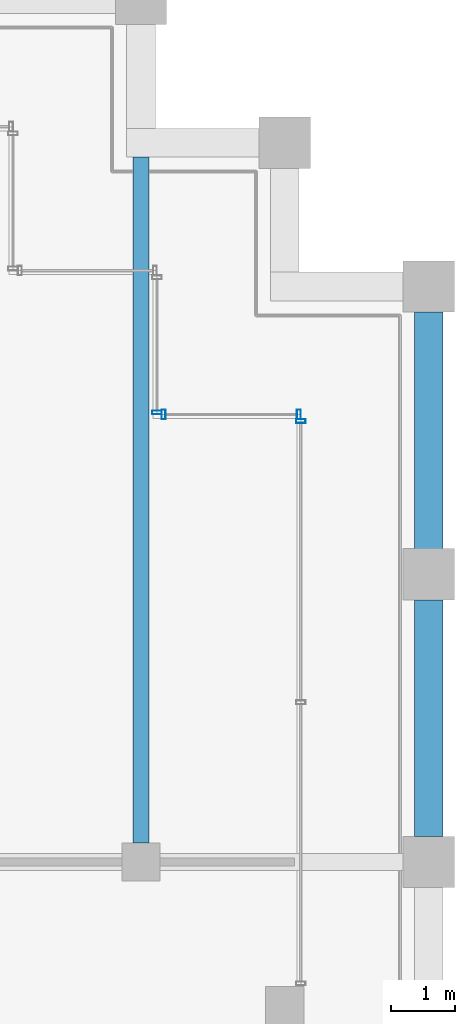
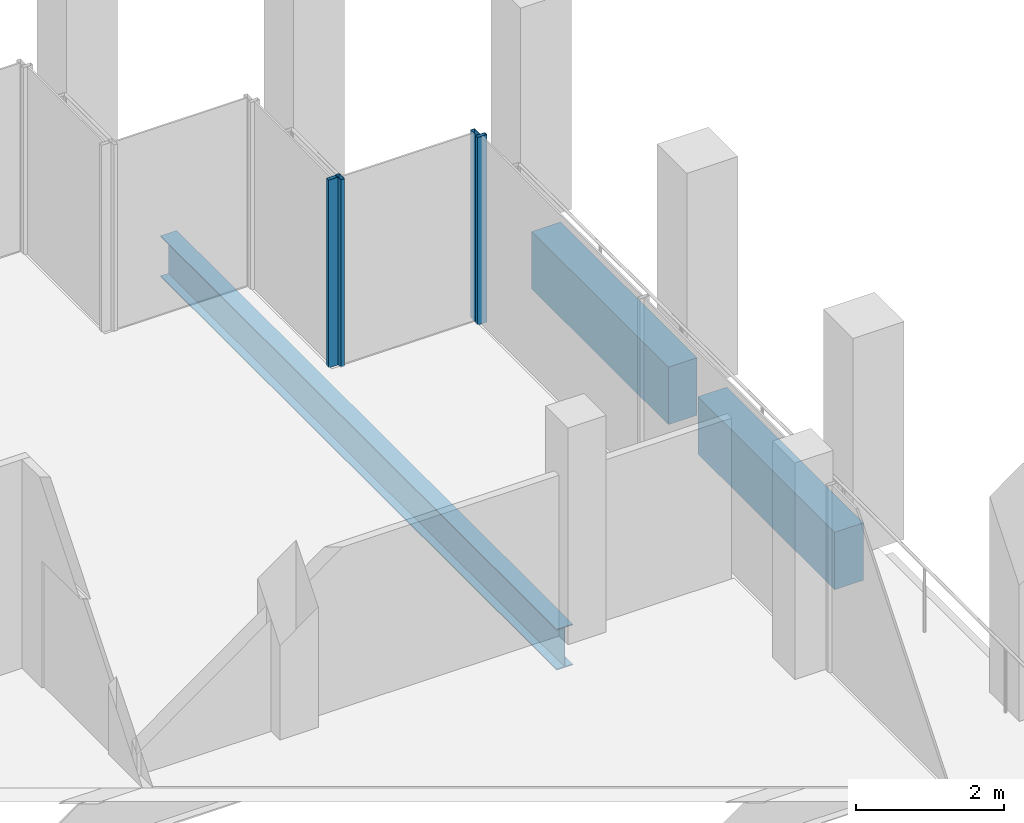
# One storey, part 25 of 30: 4 members, 3 beams, 3 elements without a shape of their own.
"""IFC4 building model written with IfcOpenShell, lengths in metres."""

from ifc_helpers import new_model, si_unit, direction, frame, origin, origin_2d, place, context, subcontext, project, spatial, rectangle, hollow_rectangle, i_section, extrude, material, material_profile, profile_set, type_object, element, aggregate, save


model = new_model("IFC4")

# Units and contexts
model_context = context("Model", 3, precision=1e-05, world=origin(), true_north=direction((0.0, 1.0)))
body_context = subcontext(model_context, "Body", "Model", "MODEL_VIEW")
ifc_project = project(units=[si_unit("LENGTHUNIT", "METRE"), si_unit("AREAUNIT", "SQUARE_METRE"), si_unit("VOLUMEUNIT", "CUBIC_METRE"), si_unit("PLANEANGLEUNIT", "RADIAN"), si_unit("MASSUNIT", "GRAM", prefix="KILO")], contexts=[model_context])

# Site, building, storey
site_placement = place(None, origin())
site = spatial("IfcSite", under=ifc_project, at=site_placement, CompositionType="ELEMENT")
building_placement = place(site_placement, origin())
building = spatial("IfcBuilding", under=site, at=building_placement, Name="Altepetl Exchange Towers", CompositionType="ELEMENT")
storey_placement = place(building_placement, frame((0.0, 0.0, 231.60009765625)))
storey = spatial("IfcBuildingStorey", under=building, at=storey_placement, Name="L59", CompositionType="ELEMENT", Elevation=231.60009765625)

# Beam
ifc_material_1 = material(Name="Steel S355", Category="steel")
ifc_material_profile_1 = material_profile(ifc_material_1, i_section(OverallWidth=0.2529296875, OverallDepth=0.677978515625, WebThickness=0.01171875, FlangeThickness=0.016357421875, at=origin_2d()), Name="W27X84")
ifc_profile_set_1 = profile_set([ifc_material_profile_1], Name="Steel S355")
beam_type_1 = type_object("IfcBeamType", Name="Floor beam W27X84", PredefinedType="BEAM", material=ifc_profile_set_1)
beam_placement = place(storey_placement, frame((67.5, 58.800048828125, -0.489013671875), z_axis=(0.0, 1.0, 0.0), x_axis=(-1.0, 0.0, 0.0)))
element("IfcBeam", 1, at=beam_placement, inside=storey, type_object=beam_type_1, Name="bm:A:L59:005", PredefinedType="BEAM", context=body_context, shape_type="SweptSolid", body=[
    extrude(i_section(OverallWidth=0.2529296875, OverallDepth=0.677978515625, WebThickness=0.01171875, FlangeThickness=0.016357421875, at=origin_2d()), origin(), (0.0, 0.0, 1.0), 10.724853515625),
])

# Curtain wall, member
ifc_material_2 = material(Name="Aluminium 6063-T6 glazing", Category="aluminium")
curtain_wall_type = type_object("IfcCurtainWallType", Name="Loggia glazing system", PredefinedType="NOTDEFINED", material=ifc_material_2)
curtain_wall_1_placement = place(storey_placement, origin())
curtain_wall_1 = element("IfcCurtainWall", 2, at=curtain_wall_1_placement, inside=storey, type_object=curtain_wall_type, Name="CW1 run", PredefinedType="NOTDEFINED")
ifc_material_3 = material(Name="Aluminium 6063-T6", Category="aluminium")
ifc_material_profile_2 = material_profile(ifc_material_3, hollow_rectangle(XDim=0.06005859375, YDim=0.14990234375, WallThickness=0.0029296875, at=origin_2d()), Name="Mullion 60x150 aluminium")
ifc_profile_set_2 = profile_set([ifc_material_profile_2], Name="Aluminium 6063-T6")
member_type = type_object("IfcMemberType", Name="Mullion 60x150 aluminium", PredefinedType="MULLION", material=ifc_profile_set_2)
member_1_placement = place(storey_placement, frame((70.0, 65.39501953125, 0.0), z_axis=(0.0, 0.0, 1.0), x_axis=(0.0, 1.0, 0.0)))
member_1 = element("IfcMember", 3, at=member_1_placement, type_object=member_type, Name="MU1 mullion", PredefinedType="MULLION", context=body_context, shape_type="SweptSolid", body=[
    extrude(hollow_rectangle(XDim=0.06005859375, YDim=0.14990234375, WallThickness=0.0029296875, at=origin_2d()), origin(), (0.0, 0.0, 1.0), 3.099853515625),
])
aggregate(curtain_wall_1, [member_1])

# Curtain wall, members
curtain_wall_2_placement = place(storey_placement, origin())
curtain_wall_2 = element("IfcCurtainWall", 4, at=curtain_wall_2_placement, inside=storey, type_object=curtain_wall_type, Name="CW1 run", PredefinedType="NOTDEFINED")
member_2_placement = place(storey_placement, frame((69.969970703125, 65.5, 0.0), z_axis=(0.0, 0.0, 1.0), x_axis=(-1.0, 0.0, 0.0)))
member_2 = element("IfcMember", 5, at=member_2_placement, type_object=member_type, Name="MU1 mullion", PredefinedType="MULLION", context=body_context, shape_type="SweptSolid", body=[
    extrude(hollow_rectangle(XDim=0.06005859375, YDim=0.14990234375, WallThickness=0.0029296875, at=origin_2d()), origin(), (0.0, 0.0, 1.0), 3.099853515625),
])
member_3_placement = place(storey_placement, frame((67.85498046875, 65.5, 0.0), z_axis=(0.0, 0.0, 1.0), x_axis=(-1.0, 0.0, 0.0)))
member_3 = element("IfcMember", 6, at=member_3_placement, type_object=member_type, Name="MU1 mullion", PredefinedType="MULLION", context=body_context, shape_type="SweptSolid", body=[
    extrude(hollow_rectangle(XDim=0.06005859375, YDim=0.14990234375, WallThickness=0.0029296875, at=origin_2d()), origin(), (0.0, 0.0, 1.0), 3.099853515625),
])
aggregate(curtain_wall_2, [member_2, member_3])

# Curtain wall, member
curtain_wall_3_placement = place(storey_placement, origin())
curtain_wall_3 = element("IfcCurtainWall", 7, at=curtain_wall_3_placement, inside=storey, type_object=curtain_wall_type, Name="CW1 run", PredefinedType="NOTDEFINED")
member_4_placement = place(storey_placement, frame((67.75, 65.530029296875, 0.0), z_axis=(0.0, 0.0, 1.0), x_axis=(0.0, 1.0, 0.0)))
member_4 = element("IfcMember", 8, at=member_4_placement, type_object=member_type, Name="MU1 mullion", PredefinedType="MULLION", context=body_context, shape_type="SweptSolid", body=[
    extrude(hollow_rectangle(XDim=0.06005859375, YDim=0.14990234375, WallThickness=0.0029296875, at=origin_2d()), origin(), (0.0, 0.0, 1.0), 3.099853515625),
])
aggregate(curtain_wall_3, [member_4])

# Beams
ifc_material_4 = material(Name="Concrete C50/60 precast with cantera rosa facing", Category="concrete")
ifc_material_profile_3 = material_profile(ifc_material_4, rectangle(XDim=0.449951171875, YDim=0.949951171875, at=origin_2d()), Name="450 x 950")
ifc_profile_set_3 = profile_set([ifc_material_profile_3], Name="Concrete C50/60 precast with cantera rosa facing")
beam_type_2 = type_object("IfcBeamType", Name="Spandrel beam 450x950 cantera rosa", PredefinedType="SPANDREL", material=ifc_profile_set_3)
for number, where, z_axis, x_axis, name in (
    (9, (72.0, 58.89990234375, -0.625), (0.0, 1.0, 0.0), (-1.0, 0.0, 0.0), "sp:A:L59:018"),
    (10, (72.0, 63.39990234375, -0.625), (0.0, 1.0, 0.0), (-1.0, 0.0, 0.0), "sp:A:L59:019"),
):
    element("IfcBeam", number, at=place(storey_placement, frame(where, z_axis=z_axis, x_axis=x_axis)), inside=storey, type_object=beam_type_2, Name=name, PredefinedType="SPANDREL", context=body_context, shape_type="SweptSolid", body=[
        extrude(rectangle(XDim=0.449951171875, YDim=0.949951171875, at=origin_2d()), origin(), (0.0, 0.0, 1.0), 3.7001953125),
    ])

save(model, "model.ifc")
